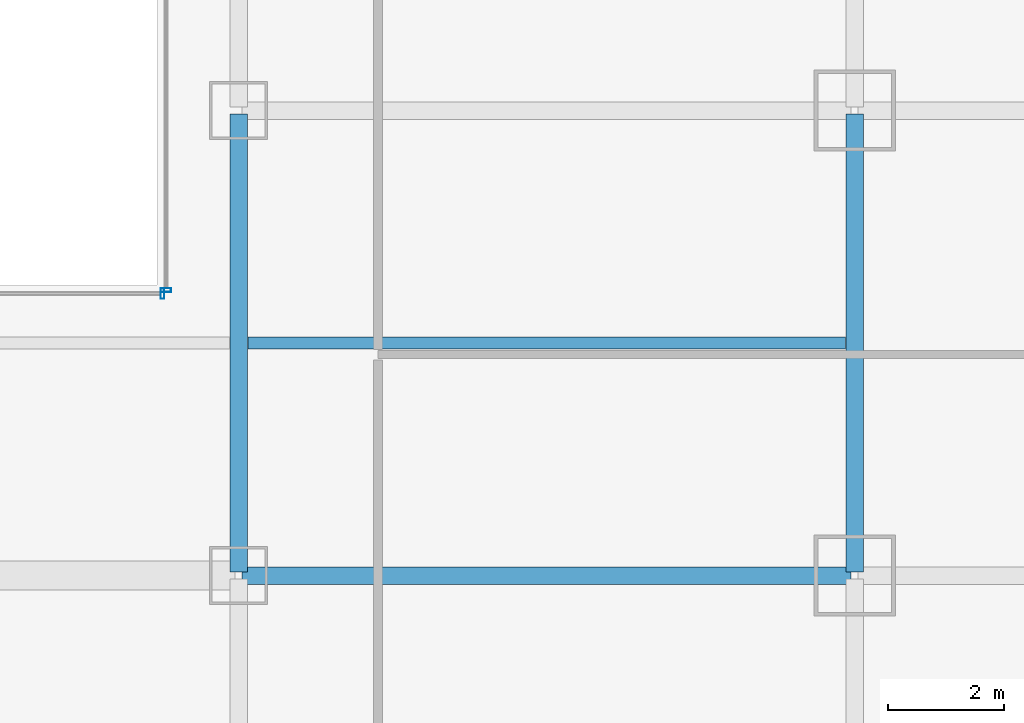
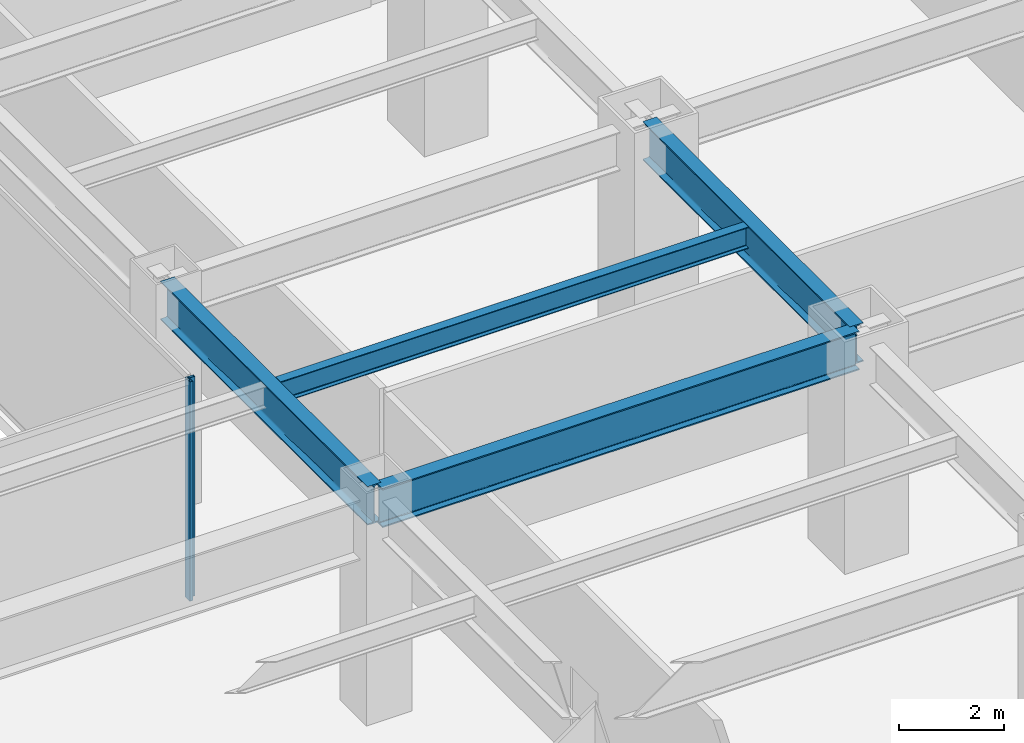
# One storey, part 19 of 51: 4 beams, 2 members, 2 elements without a shape of their own.
"""IFC4 building model written with IfcOpenShell, lengths in metres."""

from ifc_helpers import new_model, si_unit, direction, frame, origin, origin_2d, place, context, subcontext, project, spatial, hollow_rectangle, i_section, extrude, material, material_profile, profile_set, type_object, element, aggregate, save


model = new_model("IFC4")

# Units and contexts
model_context = context("Model", 3, precision=1e-05, world=origin(), true_north=direction((0.0, 1.0)))
body_context = subcontext(model_context, "Body", "Model", "MODEL_VIEW")
ifc_project = project(units=[si_unit("LENGTHUNIT", "METRE"), si_unit("AREAUNIT", "SQUARE_METRE"), si_unit("VOLUMEUNIT", "CUBIC_METRE"), si_unit("PLANEANGLEUNIT", "RADIAN"), si_unit("MASSUNIT", "GRAM", prefix="KILO")], contexts=[model_context])

# Site, building, storey
site_placement = place(None, origin())
site = spatial("IfcSite", under=ifc_project, at=site_placement, CompositionType="ELEMENT")
building_placement = place(site_placement, origin())
building = spatial("IfcBuilding", under=site, at=building_placement, Name="Saevonmaru Cultural Tower", CompositionType="ELEMENT")
storey_placement = place(building_placement, frame((0.0, 0.0, 6.0)))
storey = spatial("IfcBuildingStorey", under=building, at=storey_placement, Name="L01", CompositionType="ELEMENT", Elevation=6.0)

# Beams
ifc_material_1 = material(Name="Steel SM420", Category="steel")
ifc_material_profile_1 = material_profile(ifc_material_1, i_section(OverallWidth=0.300048828125, OverallDepth=0.89990234375, WebThickness=0.01611328125, FlangeThickness=0.028076171875, FilletRadius=0.028076171875, at=origin_2d()), Name="H-900x300x16x28")
ifc_profile_set_1 = profile_set([ifc_material_profile_1], Name="Steel SM420")
beam_type_1 = type_object("IfcBeamType", Name="BM-G-H900", PredefinedType="BEAM", material=ifc_profile_set_1)
for number, where, z_axis, x_axis, name in (
    (1, (37.199951171875, 16.06005859375, 4.64990234375), (0.0, 1.0, 0.0), (-1.0, 0.0, 0.0), "L01 Podium Girder NS3-3"),
    (2, (47.800048828125, 16.06005859375, 4.64990234375), (0.0, 1.0, 0.0), (-1.0, 0.0, 0.0), "L01 Podium Girder NS4-3"),
):
    element("IfcBeam", number, at=place(storey_placement, frame(where, z_axis=z_axis, x_axis=x_axis)), inside=storey, type_object=beam_type_1, Name=name, PredefinedType="BEAM", context=body_context, shape_type="SweptSolid", body=[
        extrude(i_section(OverallWidth=0.300048828125, OverallDepth=0.89990234375, WebThickness=0.01611328125, FlangeThickness=0.028076171875, FilletRadius=0.028076171875, at=origin_2d()), origin(), (0.0, 0.0, 1.0), 7.8798828125),
    ])
beam_1_placement = place(storey_placement, frame((37.260009765625, 16.0, 4.64990234375), z_axis=(1.0, 0.0, 0.0), x_axis=(0.0, 1.0, 0.0)))
element("IfcBeam", 3, at=beam_1_placement, inside=storey, type_object=beam_type_1, Name="L01 Gallery Girder E-2", PredefinedType="BEAM", context=body_context, shape_type="SweptSolid", body=[
    extrude(i_section(OverallWidth=0.300048828125, OverallDepth=0.89990234375, WebThickness=0.01611328125, FlangeThickness=0.028076171875, FilletRadius=0.028076171875, at=origin_2d()), origin(), (0.0, 0.0, 1.0), 10.47998046875),
])
ifc_material_2 = material(Name="Steel SM355", Category="steel")
ifc_material_profile_2 = material_profile(ifc_material_2, i_section(OverallWidth=0.199951171875, OverallDepth=0.5, WebThickness=0.010009765625, FlangeThickness=0.01611328125, FilletRadius=0.02001953125, at=origin_2d()), Name="H-500x200x10x16")
ifc_profile_set_2 = profile_set([ifc_material_profile_2], Name="Steel SM355")
beam_type_2 = type_object("IfcBeamType", Name="BM-J-H500", PredefinedType="JOIST", material=ifc_profile_set_2)
beam_2_placement = place(storey_placement, frame((37.35791015625, 20.0, 4.85009765625), z_axis=(1.0, 0.0, 0.0), x_axis=(0.0, 1.0, 0.0)))
element("IfcBeam", 4, at=beam_2_placement, inside=storey, type_object=beam_type_2, Name="L01 Secondary Floor Joist JE-2", PredefinedType="JOIST", context=body_context, shape_type="SweptSolid", body=[
    extrude(i_section(OverallWidth=0.199951171875, OverallDepth=0.5, WebThickness=0.010009765625, FlangeThickness=0.01611328125, FilletRadius=0.02001953125, at=origin_2d()), origin(), (0.0, 0.0, 1.0), 10.2841796875),
])

# Curtain wall, member
ifc_material_3 = material(Name="Satin Bronze Anodised Aluminium", Category="aluminium")
curtain_wall_type = type_object("IfcCurtainWallType", Name="CW-ATR-GLZ", PredefinedType="NOTDEFINED", material=ifc_material_3)
curtain_wall_1_placement = place(storey_placement, origin())
curtain_wall_1 = element("IfcCurtainWall", 5, at=curtain_wall_1_placement, inside=storey, type_object=curtain_wall_type, Name="L01 Vertical Atrium Glazed Smoke Screen 1", PredefinedType="NOTDEFINED")
ifc_material_profile_3 = material_profile(ifc_material_3, hollow_rectangle(XDim=0.06494140625, YDim=0.179931640625, WallThickness=0.00390625, at=origin_2d()), Name="ALU-MULL-180x65x4")
ifc_profile_set_3 = profile_set([ifc_material_profile_3], Name="Satin Bronze Anodised Aluminium")
member_type = type_object("IfcMemberType", Name="ML-CW-INT-180x65", PredefinedType="MULLION", material=ifc_profile_set_3)
member_1_placement = place(storey_placement, frame((35.889892578125, 20.85009765625, 0.0), z_axis=(0.0, 0.0, 1.0), x_axis=(1.0, 0.0, 0.0)))
member_1 = element("IfcMember", 6, at=member_1_placement, type_object=member_type, Name="CW-ATR-L01-1 mullion 2", PredefinedType="MULLION", context=body_context, shape_type="SweptSolid", body=[
    extrude(hollow_rectangle(XDim=0.06494140625, YDim=0.179931640625, WallThickness=0.00390625, at=origin_2d()), origin(), (0.0, 0.0, 1.0), 5.10009765625),
])
aggregate(curtain_wall_1, [member_1])

curtain_wall_2_placement = place(storey_placement, origin())
curtain_wall_2 = element("IfcCurtainWall", 7, at=curtain_wall_2_placement, inside=storey, type_object=curtain_wall_type, Name="L01 Vertical Atrium Glazed Smoke Screen 2", PredefinedType="NOTDEFINED")
member_2_placement = place(storey_placement, frame((35.949951171875, 20.909912109375, 0.0), z_axis=(0.0, 0.0, 1.0), x_axis=(0.0, 1.0, 0.0)))
member_2 = element("IfcMember", 8, at=member_2_placement, type_object=member_type, Name="CW-ATR-L01-2 mullion 1", PredefinedType="MULLION", context=body_context, shape_type="SweptSolid", body=[
    extrude(hollow_rectangle(XDim=0.06494140625, YDim=0.179931640625, WallThickness=0.00390625, at=origin_2d()), origin(), (0.0, 0.0, 1.0), 5.10009765625),
])
aggregate(curtain_wall_2, [member_2])

save(model, "model.ifc")
